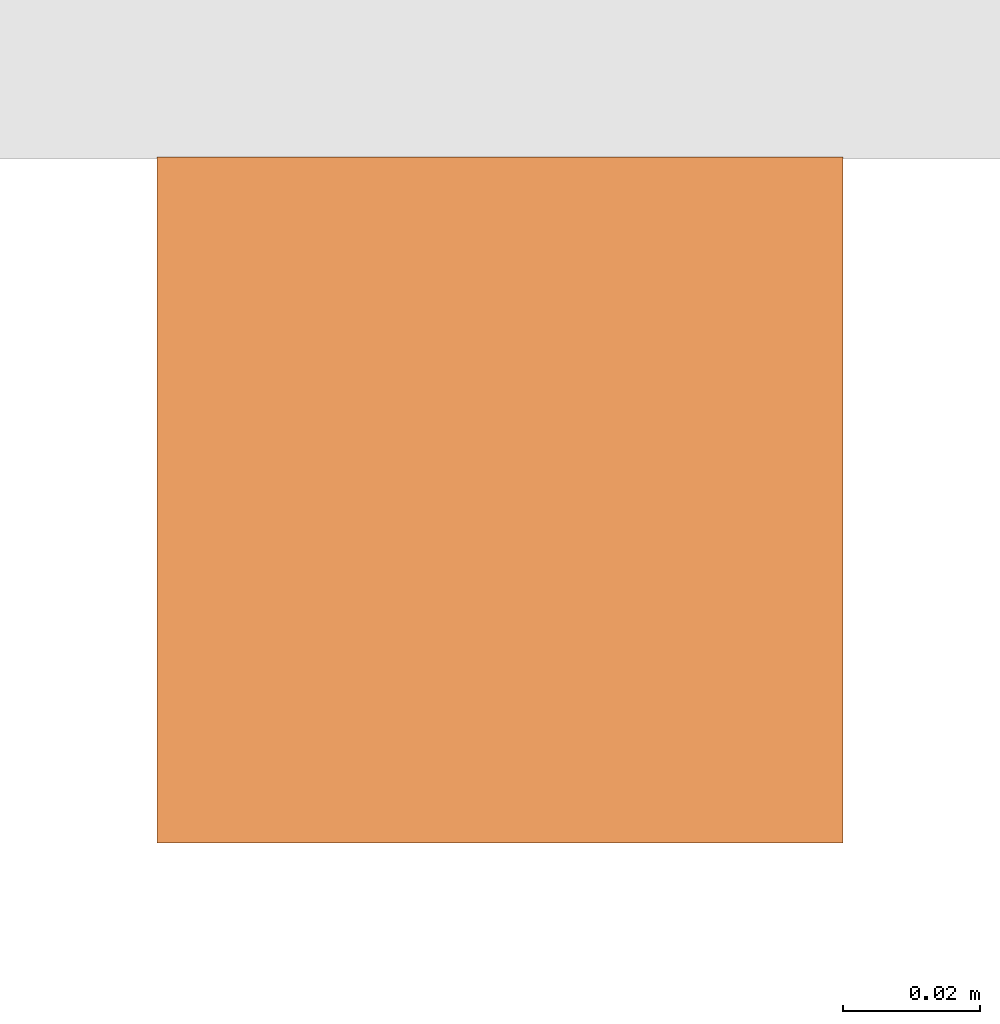
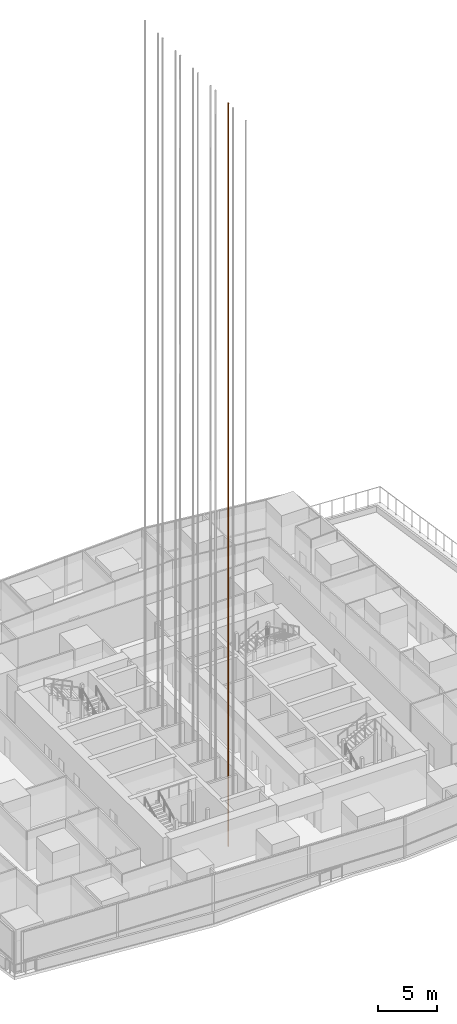
# One storey, part 30 of 39: 1 proxy.
"""IFC4 building model written with IfcOpenShell, lengths in metres."""

from ifc_helpers import new_model, si_unit, direction, frame, origin, origin_2d, place, context, subcontext, project, spatial, rectangle, extrude, material, type_object, element, save


model = new_model("IFC4")

# Units and contexts
model_context = context("Model", 3, precision=1e-05, world=origin(), true_north=direction((0.0, 1.0)))
body_context = subcontext(model_context, "Body", "Model", "MODEL_VIEW")
ifc_project = project(units=[si_unit("LENGTHUNIT", "METRE"), si_unit("AREAUNIT", "SQUARE_METRE"), si_unit("VOLUMEUNIT", "CUBIC_METRE"), si_unit("PLANEANGLEUNIT", "RADIAN"), si_unit("MASSUNIT", "GRAM", prefix="KILO")], contexts=[model_context])

# Site, building, storey
site_placement = place(None, origin())
site = spatial("IfcSite", under=ifc_project, at=site_placement, CompositionType="ELEMENT")
building_placement = place(site_placement, origin())
building = spatial("IfcBuilding", under=site, at=building_placement, Name="Rekha Terrace Tower", CompositionType="ELEMENT")
storey_placement = place(building_placement, frame((0.0, 0.0, 168.199951171875)))
storey = spatial("IfcBuildingStorey", under=building, at=storey_placement, Name="L42", CompositionType="ELEMENT", Elevation=168.199951171875)

# Proxy
ifc_material = material(Name="Steel guide rail", Category="steel")
building_element_proxy_type = type_object("IfcBuildingElementProxyType", Name="LR1 100 lift guide rail", PredefinedType="ELEMENT", material=ifc_material)
proxy_placement = place(storey_placement, frame((34.5, 26.800048828125, -3.2998046875), z_axis=(0.0, 0.0, 1.0), x_axis=(1.0, 0.0, 0.0)))
element("IfcBuildingElementProxy", 1, at=proxy_placement, inside=storey, type_object=building_element_proxy_type, Name="Lift C2 guide rail 1", PredefinedType="ELEMENT", context=body_context, shape_type="SweptSolid", body=[
    extrude(rectangle(XDim=0.10009765625, YDim=0.10009765625, at=origin_2d()), origin(), (0.0, 0.0, 1.0), 77.39990234375),
])

save(model, "model.ifc")
